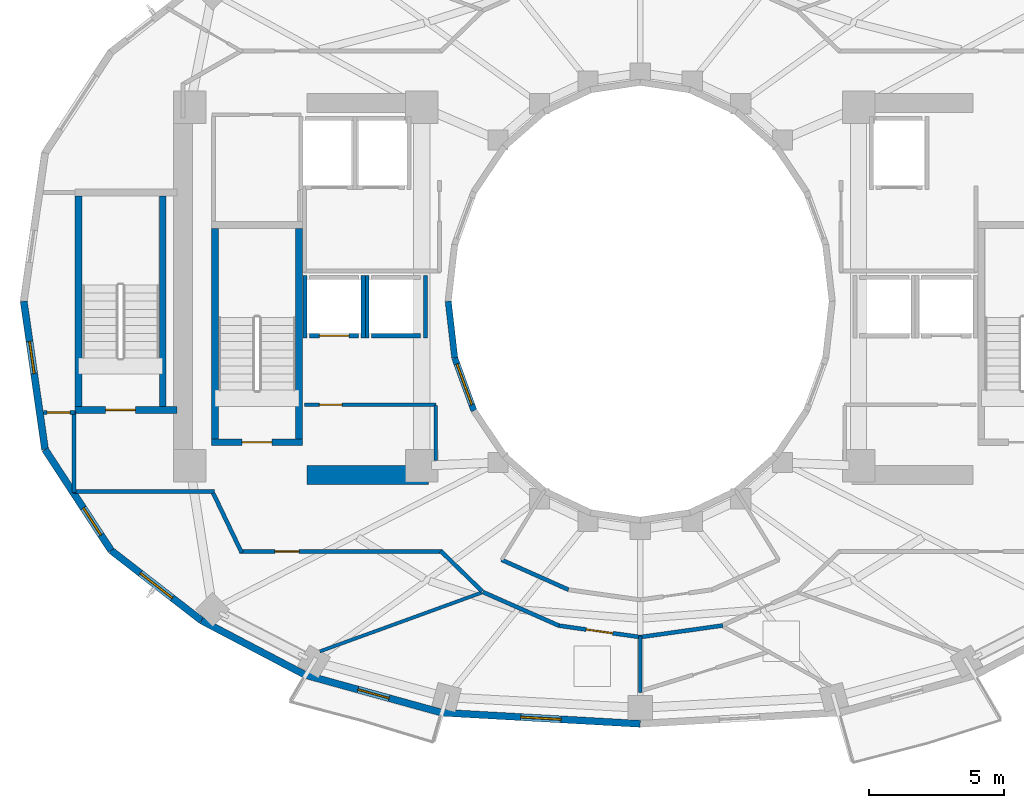
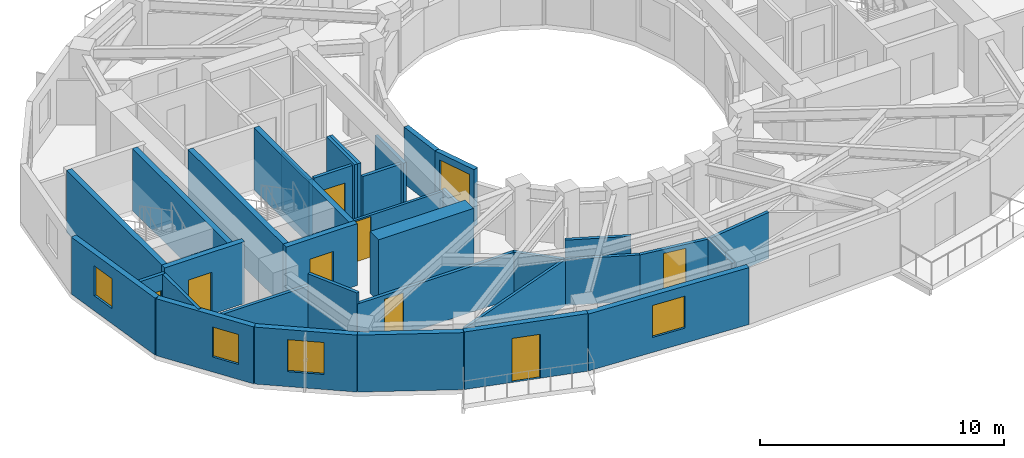
# One storey, part 3 of 10: 35 walls, 8 doors, 5 windows, 13 openings.
"""IFC4 building model written with IfcOpenShell, lengths in metres."""

import ifcopenshell
import ifcopenshell.guid

model = None  # the IFC model being written
_history = None  # IfcOwnerHistory: only IFC2X3 demands one
_inside = {}  # id of a spatial element -> (the spatial element, [elements in it])
_under = {}  # id of a project, library or spatial element -> (it, [spatial elements below it])
_declared = {}  # id of a project -> (the project, [libraries it declares])
_typed = {}  # id of a type object -> (the type object, [elements of that type])
_made_of = {}  # id of a material, layer set ... -> (it, [elements and type objects made of it])


def new_model(schema):
    """Start an empty IFC model of exactly this schema.

    Asked for "IFC4X3", IfcOpenShell would pick the latest addendum, in which some entities
    have other attributes; the version numbers below select the first issue.
    IFC2X3 requires an IfcOwnerHistory on every rooted entity: one is made here for all.
    """
    global model, _history
    if schema == "IFC4X3":
        model = ifcopenshell.file(schema_version=(4, 3, 0, 0))
    else:
        model = ifcopenshell.file(schema=schema)
    _inside.clear()
    _under.clear()
    _declared.clear()
    _typed.clear()
    _made_of.clear()
    _history = None
    if model.schema == "IFC2X3":
        org = make("IfcOrganization", Name="unknown")
        user = make(
            "IfcPersonAndOrganization",
            ThePerson=make("IfcPerson", FamilyName="unknown"),
            TheOrganization=org,
        )
        app = make(
            "IfcApplication",
            ApplicationDeveloper=org,
            Version="unknown",
            ApplicationFullName="unknown",
            ApplicationIdentifier="unknown",
        )
        _history = make(
            "IfcOwnerHistory",
            OwningUser=user,
            OwningApplication=app,
            ChangeAction="ADDED",
            CreationDate=0,
        )
    return model


def make(cls, **values):
    """One entity of the class cls with the attributes given. An attribute that is None is left unset."""
    return model.create_entity(
        cls, **{name: value for name, value in values.items() if value is not None}
    )


def rooted(cls, **values):
    """An entity with a GlobalId (a new one), such as an element, a storey or a relation."""
    return make(cls, GlobalId=ifcopenshell.guid.new(), OwnerHistory=_history, **values)


def si_unit(unit_type, name, prefix=None):
    """IfcSIUnit, for example si_unit("LENGTHUNIT", "METRE", prefix="MILLI")."""
    return make("IfcSIUnit", UnitType=unit_type, Prefix=prefix, Name=name)


def assignment(units):
    """IfcUnitAssignment: the units of a project."""
    return None if units is None else make("IfcUnitAssignment", Units=units)


def point(xyz):
    """IfcCartesianPoint."""
    return None if xyz is None else make("IfcCartesianPoint", Coordinates=xyz)


def direction(xyz):
    """IfcDirection."""
    return None if xyz is None else make("IfcDirection", DirectionRatios=xyz)


def frame(location, z_axis=None, x_axis=None):
    """IfcAxis2Placement3D, a coordinate frame: its origin and axes. An axis left out is left unset."""
    return make(
        "IfcAxis2Placement3D",
        Location=point(location),
        Axis=direction(z_axis),
        RefDirection=direction(x_axis),
    )


def frame_2d(location, x_axis=None):
    """IfcAxis2Placement2D, a coordinate frame in the plane: its origin and x axis."""
    return make(
        "IfcAxis2Placement2D", Location=point(location), RefDirection=direction(x_axis)
    )


def origin():
    """The frame at (0, 0, 0) with its axes left unset."""
    return frame((0.0, 0.0, 0.0))


def place(relative_to, where):
    """IfcLocalPlacement: puts the frame where relative to a parent placement (None: the world)."""
    return make(
        "IfcLocalPlacement", PlacementRelTo=relative_to, RelativePlacement=where
    )


def context(
    kind, dimensions, precision=None, world=None, true_north=None, identifier=None
):
    """IfcGeometricRepresentationContext, for example the 3D "Model" context."""
    return make(
        "IfcGeometricRepresentationContext",
        ContextIdentifier=identifier,
        ContextType=kind,
        CoordinateSpaceDimension=dimensions,
        Precision=precision,
        WorldCoordinateSystem=world,
        TrueNorth=true_north,
    )


def subcontext(parent, identifier, kind, view, scale=None):
    """IfcGeometricRepresentationSubContext, for example "Body" below "Model"."""
    return make(
        "IfcGeometricRepresentationSubContext",
        ContextIdentifier=identifier,
        ContextType=kind,
        ParentContext=parent,
        TargetScale=scale,
        TargetView=view,
    )


def project(units=None, contexts=None):
    """IfcProject with its units and contexts."""
    return rooted(
        "IfcProject",
        Name="project",
        RepresentationContexts=contexts,
        UnitsInContext=assignment(units),
    )


def spatial(cls, under=None, at=None, **own):
    """A site, building, storey or space (cls), placed at a placement, below another one or the project."""
    s = rooted(cls, ObjectPlacement=at, **own)
    if under is not None:
        _under.setdefault(under.id(), (under, []))[1].append(s)
    return s


def profile(cls, at=None, kind="AREA", **sizes):
    """A parametric profile (cls). Its sizes go by their IFC names, for example OverallWidth=200.0."""
    return make(cls, ProfileType=kind, Position=at, **sizes)


def rectangle(**sizes):
    """IfcRectangleProfileDef."""
    return profile("IfcRectangleProfileDef", **sizes)


def extrude(swept, where, along, depth):
    """IfcExtrudedAreaSolid: the profile swept, set in the frame where, extruded along a direction by depth."""
    return make(
        "IfcExtrudedAreaSolid",
        SweptArea=swept,
        Position=where,
        ExtrudedDirection=direction(along),
        Depth=depth,
    )


def shape(context_of_items, identifier, shape_type, items):
    """IfcShapeRepresentation: the items that make up one representation, for example the "Body"."""
    return make(
        "IfcShapeRepresentation",
        ContextOfItems=context_of_items,
        RepresentationIdentifier=identifier,
        RepresentationType=shape_type,
        Items=items,
    )


def material(Name=None, Category=None):
    """IfcMaterial."""
    return make("IfcMaterial", Name=Name, Category=Category)


def layer(
    of_material, thickness, ventilated=None, Name=None, Category=None, Priority=None
):
    """IfcMaterialLayer: one layer of a wall or slab, of a material (None: an air gap)."""
    return make(
        "IfcMaterialLayer",
        Material=of_material,
        LayerThickness=thickness,
        IsVentilated=ventilated,
        Name=Name,
        Category=Category,
        Priority=Priority,
    )


def layer_set(layers, Name=None):
    """IfcMaterialLayerSet."""
    return make("IfcMaterialLayerSet", MaterialLayers=layers, LayerSetName=Name)


def made_of(thing, what):
    """Note that an element or type object is made of a material, layer set ...; save() writes the relation."""
    if what is not None:
        _made_of.setdefault(what.id(), (what, []))[1].append(thing)
    return thing


def type_object(cls, material=None, **own):
    """A type object (cls), such as IfcWallType, which elements share."""
    return made_of(rooted(cls, **own), material)


def element(
    cls,
    number,
    at=None,
    inside=None,
    cuts=None,
    type_object=None,
    material=None,
    context=None,
    identifier="Body",
    shape_type=None,
    held_by="IfcProductDefinitionShape",
    body=None,
    shapes=None,
    **own,
):
    """One element of the class cls, such as IfcWall. Its Tag is "e" and its number.

    at: its placement. inside: the storey or other place that contains it. cuts: it is an
    opening in that element (IfcRelVoidsElement). A single representation is given by context,
    identifier, shape_type and body (its items); several are given by shapes. held_by: the class
    of the entity that holds the representations. save() writes the other relations.
    """
    e = rooted(cls, Tag="e%d" % number, ObjectPlacement=at, **own)
    if body is not None:
        shapes = [shape(context, identifier, shape_type, body)]
    if shapes is not None:
        e.Representation = make(held_by, Representations=shapes)
    if inside is not None:
        _inside.setdefault(inside.id(), (inside, []))[1].append(e)
    if cuts is not None:
        rooted(
            "IfcRelVoidsElement", RelatingBuildingElement=cuts, RelatedOpeningElement=e
        )
    if type_object is not None:
        _typed.setdefault(type_object.id(), (type_object, []))[1].append(e)
    return made_of(e, material)


def fill(opening, filler):
    """IfcRelFillsElement: the door or window that sits in an opening."""
    return rooted(
        "IfcRelFillsElement",
        RelatingOpeningElement=opening,
        RelatedBuildingElement=filler,
    )


def aggregate(whole, parts):
    """IfcRelAggregates: a whole, such as a stair, and the parts it consists of."""
    return rooted("IfcRelAggregates", RelatingObject=whole, RelatedObjects=parts)


def save(model, path):
    """Write the relations noted so far, then the file.

    IfcRelAggregates (storeys below a building ...), IfcRelContainedInSpatialStructure (elements
    in a storey), IfcRelDefinesByType, IfcRelAssociatesMaterial and IfcRelDeclares: one each for
    every whole, place, type object, material and project.
    """
    for whole, parts in _under.values():
        aggregate(whole, parts)
    for where, things in _inside.values():
        rooted(
            "IfcRelContainedInSpatialStructure",
            RelatedElements=things,
            RelatingStructure=where,
        )
    for kind, things in _typed.values():
        rooted("IfcRelDefinesByType", RelatedObjects=things, RelatingType=kind)
    for what, things in _made_of.values():
        rooted("IfcRelAssociatesMaterial", RelatedObjects=things, RelatingMaterial=what)
    for by, libraries in _declared.values():
        rooted("IfcRelDeclares", RelatingContext=by, RelatedDefinitions=libraries)
    model.write(path)


model = new_model("IFC4")

# Units and contexts
model_context = context("Model", 3, precision=1e-05, world=origin(), true_north=direction((0.0, 1.0)))
body_context = subcontext(model_context, "Body", "Model", "MODEL_VIEW")
ifc_project = project(units=[si_unit("LENGTHUNIT", "METRE"), si_unit("AREAUNIT", "SQUARE_METRE"), si_unit("VOLUMEUNIT", "CUBIC_METRE"), si_unit("PLANEANGLEUNIT", "RADIAN"), si_unit("MASSUNIT", "GRAM", prefix="KILO")], contexts=[model_context])

# Site, building, storey
site_placement = place(None, origin())
site = spatial("IfcSite", under=ifc_project, at=site_placement, CompositionType="ELEMENT")
building_placement = place(site_placement, origin())
building = spatial("IfcBuilding", under=site, at=building_placement, Name="Solvane Sanctuary Tower", CompositionType="ELEMENT")
storey_placement = place(building_placement, frame((0.0, 0.0, 165.300048828125)))
storey = spatial("IfcBuildingStorey", under=building, at=storey_placement, Name="L50", CompositionType="ELEMENT", Elevation=165.300048828125)

# Wall
ifc_material_1 = material(Name="Concrete C60/75", Category="concrete")
ifc_layer_1 = layer(ifc_material_1, 0.699951171875, Name="Concrete C60/75")
ifc_layer_set_1 = layer_set([ifc_layer_1], Name="Concrete C60/75")
wall_type_1 = type_object("IfcWallType", Name="Wall W-CORE-700", PredefinedType="SHEAR", material=ifc_layer_set_1)
wall_1_placement = place(storey_placement, frame((19.64990234375, 16.550048828125, 0.0), z_axis=(0.0, 0.0, 1.0), x_axis=(1.0, 0.0, 0.0)))
element("IfcWall", 1, at=wall_1_placement, inside=storey, type_object=wall_type_1, Name="L50 Core Shear Wall WC-S", PredefinedType="SHEAR", context=body_context, shape_type="SweptSolid", body=[
    extrude(rectangle(XDim=4.5, YDim=0.699951171875, at=frame_2d((2.25, 0.0))), origin(), (0.0, 0.0, 1.0), 3.099853515625),
])

# Wall, opening, door
ifc_material_2 = material(Name="Acoustic Gypsum Partition Board")
ifc_layer_2 = layer(ifc_material_2, 0.14990234375, Name="Acoustic Gypsum Partition Board")
ifc_layer_set_2 = layer_set([ifc_layer_2], Name="Acoustic Gypsum Partition Board")
wall_type_2 = type_object("IfcWallType", Name="Wall W-CORR-150", PredefinedType="PARTITIONING", material=ifc_layer_set_2)
wall_2_placement = place(storey_placement, frame((9.869873046875, 18.8798828125, 0.0), z_axis=(0.0, 0.0, 1.0), x_axis=(1.0, 0.0, 0.0)))
wall_2 = element("IfcWall", 2, at=wall_2_placement, inside=storey, type_object=wall_type_2, Name="L50 SW Corner Closer 1", PredefinedType="PARTITIONING", context=body_context, shape_type="SweptSolid", body=[
    extrude(rectangle(XDim=1.170166015625, YDim=0.14990234375, at=frame_2d((0.5849609375, 0.0))), origin(), (0.0, 0.0, 1.0), 2.85498046875),
])
opening_1_placement = place(wall_2_placement, frame((0.139892578125, 0.0, 0.0)))
opening_1 = element("IfcOpeningElement", 3, at=opening_1_placement, cuts=wall_2, Name="Opening D-L50-17", PredefinedType="OPENING", context=body_context, shape_type="SweptSolid", body=[
    extrude(rectangle(XDim=0.85009765625, YDim=2.050048828125, at=frame_2d((0.425048828125, 1.02490234375))), frame((0.0, 0.0849609375, 0.0), z_axis=(0.0, -1.0, 0.0), x_axis=(1.0, 0.0, 0.0)), (0.0, 0.0, 1.0), 0.169921875),
])
ifc_material_3 = material(Name="Architectural Stainless Steel 316", Category="steel")
door_type_1 = type_object("IfcDoorType", Name="Door D-RISER", OperationType="NOTDEFINED", PredefinedType="DOOR", material=ifc_material_3)
door_1_placement = place(opening_1_placement, origin())
door_1 = element("IfcDoor", 4, at=door_1_placement, inside=storey, type_object=door_type_1, Name="L50 West Lookout Study Door", OperationType="SINGLE_SWING_RIGHT", OverallHeight=2.050048828125, OverallWidth=0.85009765625, PredefinedType="DOOR", context=body_context, shape_type="SweptSolid", body=[
    extrude(rectangle(XDim=0.85009765625, YDim=2.050048828125, at=frame_2d((0.425048828125, 1.02490234375))), frame((0.0, 0.02490234375, 0.0), z_axis=(0.0, -1.0, 0.0), x_axis=(1.0, 0.0, 0.0)), (0.0, 0.0, 1.0), 0.050048828125),
])
fill(opening_1, door_1)

# Walls
wall_3_placement = place(storey_placement, frame((11.0, 15.909912109375, 0.0), z_axis=(0.0, 0.0, 1.0), x_axis=(0.0, 1.0, 0.0)))
element("IfcWall", 5, at=wall_3_placement, inside=storey, type_object=wall_type_2, Name="L50 SW Corner Closer 2", PredefinedType="PARTITIONING", context=body_context, shape_type="SweptSolid", body=[
    extrude(rectangle(XDim=3.010009765625, YDim=0.14990234375, at=frame_2d((1.5048828125, 0.0))), origin(), (0.0, 0.0, 1.0), 2.85498046875),
])
wall_4_placement = place(storey_placement, frame((10.9599609375, 15.949951171875, 0.0), z_axis=(0.0, 0.0, 1.0), x_axis=(1.0, 0.0, 0.0)))
element("IfcWall", 6, at=wall_4_placement, inside=storey, type_object=wall_type_2, Name="L50 SW Corner Closer 3", PredefinedType="PARTITIONING", context=body_context, shape_type="SweptSolid", body=[
    extrude(rectangle(XDim=5.260009765625, YDim=0.14990234375, at=frame_2d((2.6298828125, 0.0))), origin(), (0.0, 0.0, 1.0), 2.219970703125),
])
wall_5_placement = place(storey_placement, frame((26.132568359375, 12.251220703125, 0.0), z_axis=(0.0, 0.0, 1.0), x_axis=(-0.717419568599, 0.696641344302, 0.0)))
element("IfcWall", 7, at=wall_5_placement, inside=storey, type_object=wall_type_2, Name="L50 SW Corner Throat Wall", PredefinedType="PARTITIONING", context=body_context, shape_type="SweptSolid", body=[
    extrude(rectangle(XDim=2.138427734375, YDim=0.14990234375, at=frame_2d((1.0693359375, 0.0))), origin(), (0.0, 0.0, 1.0), 2.299072265625),
])

# Wall, opening, door
wall_6_placement = place(storey_placement, frame((17.14990234375, 13.719970703125, 0.0), z_axis=(0.0, 0.0, 1.0), x_axis=(1.0, 0.0, 0.0)))
wall_6 = element("IfcWall", 8, at=wall_6_placement, inside=storey, type_object=wall_type_2, Name="L50 SW Corner Corridor Wall", PredefinedType="PARTITIONING", context=body_context, shape_type="SweptSolid", body=[
    extrude(rectangle(XDim=7.52001953125, YDim=0.14990234375, at=frame_2d((3.760009765625, 0.0))), origin(), (0.0, 0.0, 1.0), 2.299072265625),
])
opening_2_placement = place(wall_6_placement, frame((1.300048828125, 0.0, 0.0)))
opening_2 = element("IfcOpeningElement", 9, at=opening_2_placement, cuts=wall_6, Name="Opening D-L50-18", PredefinedType="OPENING", context=body_context, shape_type="SweptSolid", body=[
    extrude(rectangle(XDim=0.89990234375, YDim=2.10009765625, at=frame_2d((0.449951171875, 1.050048828125))), frame((0.0, 0.0849609375, 0.0), z_axis=(0.0, -1.0, 0.0), x_axis=(1.0, 0.0, 0.0)), (0.0, 0.0, 1.0), 0.169921875),
])
ifc_material_4 = material(Name="Engineered Tropical Hardwood", Category="wood")
door_type_2 = type_object("IfcDoorType", Name="Door D-WET-900", OperationType="NOTDEFINED", PredefinedType="DOOR", material=ifc_material_4)
door_2_placement = place(opening_2_placement, origin())
door_2 = element("IfcDoor", 10, at=door_2_placement, inside=storey, type_object=door_type_2, Name="L50 SW Corner Salon Door", OperationType="SINGLE_SWING_LEFT", OverallHeight=2.10009765625, OverallWidth=0.89990234375, PredefinedType="DOOR", context=body_context, shape_type="SweptSolid", body=[
    extrude(rectangle(XDim=0.89990234375, YDim=2.10009765625, at=frame_2d((0.449951171875, 1.050048828125))), frame((0.0, 0.02490234375, 0.0), z_axis=(0.0, -1.0, 0.0), x_axis=(1.0, 0.0, 0.0)), (0.0, 0.0, 1.0), 0.050048828125),
])
fill(opening_2, door_2)

# Walls
wall_7_placement = place(storey_placement, frame((17.2216796875, 13.6748046875, 0.0), z_axis=(0.0, 0.0, 1.0), x_axis=(-0.431973389813, 0.901886351207, 0.0)))
element("IfcWall", 11, at=wall_7_placement, inside=storey, type_object=wall_type_2, Name="L50 SW Corner Wing Wall", PredefinedType="PARTITIONING", context=body_context, shape_type="SweptSolid", body=[
    extrude(rectangle(XDim=2.45166015625, YDim=0.14990234375, at=frame_2d((1.225830078125, 0.0))), origin(), (0.0, 0.0, 1.0), 2.85498046875),
])
wall_8_placement = place(storey_placement, frame((26.855712890625, 13.411865234375, 0.0), z_axis=(0.0, 0.0, 1.0), x_axis=(0.912985265053, -0.407992531545, 0.0)))
element("IfcWall", 12, at=wall_8_placement, inside=storey, type_object=wall_type_2, Name="L50 Inner Light-Well Corridor Wall S1", PredefinedType="PARTITIONING", context=body_context, shape_type="SweptSolid", body=[
    extrude(rectangle(XDim=2.723388671875, YDim=0.14990234375, at=frame_2d((1.36181640625, 0.0))), origin(), (0.0, 0.0, 1.0), 2.299072265625),
])
wall_9_placement = place(storey_placement, frame((31.950439453125, 10.537109375, 0.0), z_axis=(0.0, 0.0, 1.0), x_axis=(0.990254405439, 0.139270285808, 0.0)))
element("IfcWall", 13, at=wall_9_placement, inside=storey, type_object=wall_type_2, Name="L50 En-suite Inner Wall S1", PredefinedType="PARTITIONING", context=body_context, shape_type="SweptSolid", body=[
    extrude(rectangle(XDim=3.146728515625, YDim=0.14990234375, at=frame_2d((1.5732421875, 0.0))), origin(), (0.0, 0.0, 1.0), 2.299072265625),
])
wall_10_placement = place(storey_placement, frame((26.1650390625, 12.217041015625, 0.0), z_axis=(0.0, 0.0, 1.0), x_axis=(0.91445214467, -0.404694051239, 0.0)))
element("IfcWall", 14, at=wall_10_placement, inside=storey, type_object=wall_type_2, Name="L50 Unit Corridor Wall S1", PredefinedType="PARTITIONING", context=body_context, shape_type="SweptSolid", body=[
    extrude(rectangle(XDim=3.090576171875, YDim=0.14990234375, at=frame_2d((1.54541015625, 0.0))), origin(), (0.0, 0.0, 1.0), 2.299072265625),
])

# Wall, opening, door
wall_11_placement = place(storey_placement, frame((28.975341796875, 10.970703125, 0.0), z_axis=(0.0, 0.0, 1.0), x_axis=(0.990243864279, -0.139345216129, 0.0)))
wall_11 = element("IfcWall", 15, at=wall_11_placement, inside=storey, type_object=wall_type_2, Name="L50 Unit Corridor Wall S1", PredefinedType="PARTITIONING", context=body_context, shape_type="SweptSolid", body=[
    extrude(rectangle(XDim=3.0625, YDim=0.14990234375, at=frame_2d((1.53125, 0.0))), origin(), (0.0, 0.0, 1.0), 2.299072265625),
])
opening_3_placement = place(wall_11_placement, frame((1.03125, 0.0, 0.0)))
opening_3 = element("IfcOpeningElement", 16, at=opening_3_placement, cuts=wall_11, Name="Opening D-L50-25", PredefinedType="OPENING", context=body_context, shape_type="SweptSolid", body=[
    extrude(rectangle(XDim=1.0, YDim=2.10009765625, at=frame_2d((0.5, 1.050048828125))), frame((0.0, 0.0849609375, 0.0), z_axis=(0.0, -1.0, 0.0), x_axis=(1.0, 0.0, 0.0)), (0.0, 0.0, 1.0), 0.169921875),
])
door_type_3 = type_object("IfcDoorType", Name="Door D-UNIT", OperationType="NOTDEFINED", PredefinedType="DOOR", material=ifc_material_4)
door_3_placement = place(opening_3_placement, origin())
door_3 = element("IfcDoor", 17, at=door_3_placement, inside=storey, type_object=door_type_3, Name="L50 Unit Entrance Door S1", OperationType="SINGLE_SWING_RIGHT", OverallHeight=2.10009765625, OverallWidth=1.0, PredefinedType="DOOR", context=body_context, shape_type="SweptSolid", body=[
    extrude(rectangle(XDim=1.0, YDim=2.10009765625, at=frame_2d((0.5, 1.050048828125))), frame((0.0, 0.02490234375, 0.0), z_axis=(0.0, -1.0, 0.0), x_axis=(1.0, 0.0, 0.0)), (0.0, 0.0, 1.0), 0.050048828125),
])
fill(opening_3, door_3)

# Wall, opening, window
ifc_material_5 = material(Name="Precast concrete C40/50", Category="concrete")
ifc_layer_3 = layer(ifc_material_5, 0.260009765625, Name="Precast concrete C40/50")
ifc_layer_set_3 = layer_set([ifc_layer_3], Name="Precast concrete C40/50")
wall_type_3 = type_object("IfcWallType", Name="Wall W-EXT-250", PredefinedType="STANDARD", material=ifc_layer_set_3)
wall_12_placement = place(storey_placement, frame((9.139892578125, 23.0, 0.0), z_axis=(0.0, 0.0, 1.0), x_axis=(0.142227632286, -0.989833976288, 0.0)))
wall_12 = element("IfcWall", 18, at=wall_12_placement, inside=storey, type_object=wall_type_3, Name="L50 Ceramic-Printed Facade Wall 12", PredefinedType="STANDARD", context=body_context, shape_type="SweptSolid", body=[
    extrude(rectangle(XDim=5.552978515625, YDim=0.260009765625, at=frame_2d((2.7763671875, 0.0))), origin(), (0.0, 0.0, 1.0), 2.849853515625),
])
opening_4_placement = place(wall_12_placement, frame((1.506103515625, 0.0, 0.75)))
opening_4 = element("IfcOpeningElement", 19, at=opening_4_placement, cuts=wall_12, Name="Opening WN-OPER-1200", PredefinedType="OPENING", context=body_context, shape_type="SweptSolid", body=[
    extrude(rectangle(XDim=1.199951171875, YDim=1.5, at=frame_2d((0.60009765625, 0.75))), frame((0.0, 0.139892578125, 0.0), z_axis=(0.0, -1.0, 0.0), x_axis=(1.0, 0.0, 0.0)), (0.0, 0.0, 1.0), 0.280029296875),
])
ifc_material_6 = material(Name="Dark Ceramic-Fritted Low-E Glass", Category="glass")
window_type_1 = type_object("IfcWindowType", Name="Window WN-OPER-1200", PartitioningType="SINGLE_PANEL", PredefinedType="WINDOW", material=ifc_material_6)
window_1_placement = place(opening_4_placement, origin())
window_1 = element("IfcWindow", 20, at=window_1_placement, inside=storey, type_object=window_type_1, Name="L50 Operable Facade Window 12", OverallHeight=1.5, OverallWidth=1.199951171875, PartitioningType="SINGLE_PANEL", PredefinedType="WINDOW", context=body_context, shape_type="SweptSolid", body=[
    extrude(rectangle(XDim=1.199951171875, YDim=1.5, at=frame_2d((0.60009765625, 0.75))), frame((0.0, 0.030029296875, 0.0), z_axis=(0.0, -1.0, 0.0), x_axis=(1.0, 0.0, 0.0)), (0.0, 0.0, 1.0), 0.06005859375),
])
fill(opening_4, window_1)

wall_13_placement = place(storey_placement, frame((9.9296875, 17.50341796875, 0.0), z_axis=(0.0, 0.0, 1.0), x_axis=(0.547456494366, -0.836834145322, 0.0)))
wall_13 = element("IfcWall", 21, at=wall_13_placement, inside=storey, type_object=wall_type_3, Name="L50 Ceramic-Printed Facade Wall 13", PredefinedType="STANDARD", context=body_context, shape_type="SweptSolid", body=[
    extrude(rectangle(XDim=4.477294921875, YDim=0.260009765625, at=frame_2d((2.23876953125, 0.0))), origin(), (0.0, 0.0, 1.0), 2.849853515625),
])
opening_5_placement = place(wall_13_placement, frame((2.59130859375, 0.0, 0.75)))
opening_5 = element("IfcOpeningElement", 22, at=opening_5_placement, cuts=wall_13, Name="Opening WN-OPER-1200", PredefinedType="OPENING", context=body_context, shape_type="SweptSolid", body=[
    extrude(rectangle(XDim=1.199951171875, YDim=1.5, at=frame_2d((0.60009765625, 0.75))), frame((0.0, 0.139892578125, 0.0), z_axis=(0.0, -1.0, 0.0), x_axis=(1.0, 0.0, 0.0)), (0.0, 0.0, 1.0), 0.280029296875),
])
window_2_placement = place(opening_5_placement, origin())
window_2 = element("IfcWindow", 23, at=window_2_placement, inside=storey, type_object=window_type_1, Name="L50 Operable Facade Window 13", OverallHeight=1.5, OverallWidth=1.199951171875, PartitioningType="SINGLE_PANEL", PredefinedType="WINDOW", context=body_context, shape_type="SweptSolid", body=[
    extrude(rectangle(XDim=1.199951171875, YDim=1.5, at=frame_2d((0.60009765625, 0.75))), frame((0.0, 0.030029296875, 0.0), z_axis=(0.0, -1.0, 0.0), x_axis=(1.0, 0.0, 0.0)), (0.0, 0.0, 1.0), 0.06005859375),
])
fill(opening_5, window_2)

wall_14_placement = place(storey_placement, frame((12.380859375, 13.756591796875, 0.0), z_axis=(0.0, 0.0, 1.0), x_axis=(0.790185650662, -0.612867552973, 0.0)))
wall_14 = element("IfcWall", 24, at=wall_14_placement, inside=storey, type_object=wall_type_3, Name="L50 Ceramic-Printed Facade Wall 14", PredefinedType="STANDARD", context=body_context, shape_type="SweptSolid", body=[
    extrude(rectangle(XDim=4.2392578125, YDim=0.260009765625, at=frame_2d((2.11962890625, 0.0))), origin(), (0.0, 0.0, 1.0), 2.849853515625),
])
opening_6_placement = place(wall_14_placement, frame((1.36962890625, 0.0, 0.75)))
opening_6 = element("IfcOpeningElement", 25, at=opening_6_placement, cuts=wall_14, Name="Opening WN-OPER-1500", PredefinedType="OPENING", context=body_context, shape_type="SweptSolid", body=[
    extrude(rectangle(XDim=1.5, YDim=1.60009765625, at=frame_2d((0.75, 0.800048828125))), frame((0.0, 0.139892578125, 0.0), z_axis=(0.0, -1.0, 0.0), x_axis=(1.0, 0.0, 0.0)), (0.0, 0.0, 1.0), 0.280029296875),
])
window_type_2 = type_object("IfcWindowType", Name="Window WN-OPER-1500", PartitioningType="SINGLE_PANEL", PredefinedType="WINDOW", material=ifc_material_6)
window_3_placement = place(opening_6_placement, origin())
window_3 = element("IfcWindow", 26, at=window_3_placement, inside=storey, type_object=window_type_2, Name="L50 Operable Facade Window 14", OverallHeight=1.60009765625, OverallWidth=1.5, PartitioningType="SINGLE_PANEL", PredefinedType="WINDOW", context=body_context, shape_type="SweptSolid", body=[
    extrude(rectangle(XDim=1.5, YDim=1.60009765625, at=frame_2d((0.75, 0.800048828125))), frame((0.0, 0.030029296875, 0.0), z_axis=(0.0, -1.0, 0.0), x_axis=(1.0, 0.0, 0.0)), (0.0, 0.0, 1.0), 0.06005859375),
])
fill(opening_6, window_3)

# Wall
wall_15_placement = place(storey_placement, frame((15.730712890625, 11.158447265625, 0.0), z_axis=(0.0, 0.0, 1.0), x_axis=(0.885660265226, -0.464333818065, 0.0)))
element("IfcWall", 27, at=wall_15_placement, inside=storey, type_object=wall_type_3, Name="L50 Ceramic-Printed Facade Wall 15", PredefinedType="STANDARD", context=body_context, shape_type="SweptSolid", body=[
    extrude(rectangle(XDim=4.35400390625, YDim=0.260009765625, at=frame_2d((2.177001953125, 0.0))), origin(), (0.0, 0.0, 1.0), 2.849853515625),
])

# Wall, opening, door
wall_16_placement = place(storey_placement, frame((19.5869140625, 9.13671875, 0.0), z_axis=(0.0, 0.0, 1.0), x_axis=(0.963953455704, -0.26607092144, 0.0)))
wall_16 = element("IfcWall", 28, at=wall_16_placement, inside=storey, type_object=wall_type_3, Name="L50 Balcony Facade Wall S1", PredefinedType="STANDARD", context=body_context, shape_type="SweptSolid", body=[
    extrude(rectangle(XDim=5.236572265625, YDim=0.260009765625, at=frame_2d((2.6181640625, 0.0))), origin(), (0.0, 0.0, 1.0), 2.8798828125),
])
opening_7_placement = place(wall_16_placement, frame((2.018310546875, 0.0, 0.0)))
opening_7 = element("IfcOpeningElement", 29, at=opening_7_placement, cuts=wall_16, Name="Opening D-L50-03", PredefinedType="OPENING", context=body_context, shape_type="SweptSolid", body=[
    extrude(rectangle(XDim=1.199951171875, YDim=2.199951171875, at=frame_2d((0.60009765625, 1.10009765625))), frame((0.0, 0.139892578125, 0.0), z_axis=(0.0, -1.0, 0.0), x_axis=(1.0, 0.0, 0.0)), (0.0, 0.0, 1.0), 0.280029296875),
])
ifc_material_7 = material(Name="Anodised Aluminium 6063-T6", Category="aluminium")
door_type_4 = type_object("IfcDoorType", Name="Door D-BALC-1200", OperationType="NOTDEFINED", PredefinedType="DOOR", material=ifc_material_7)
door_4_placement = place(opening_7_placement, origin())
door_4 = element("IfcDoor", 30, at=door_4_placement, inside=storey, type_object=door_type_4, Name="L50 Glazed Balcony Door S1", OperationType="SINGLE_SWING_RIGHT", OverallHeight=2.199951171875, OverallWidth=1.199951171875, PredefinedType="DOOR", context=body_context, shape_type="SweptSolid", body=[
    extrude(rectangle(XDim=1.199951171875, YDim=2.199951171875, at=frame_2d((0.60009765625, 1.10009765625))), frame((0.0, 0.02490234375, 0.0), z_axis=(0.0, -1.0, 0.0), x_axis=(1.0, 0.0, 0.0)), (0.0, 0.0, 1.0), 0.050048828125),
])
fill(opening_7, door_4)

# Wall, opening, window
wall_17_placement = place(storey_placement, frame((24.634765625, 7.743408203125, 0.0), z_axis=(0.0, 0.0, 1.0), x_axis=(0.998417906562, -0.056228852534, 0.0)))
wall_17 = element("IfcWall", 31, at=wall_17_placement, inside=storey, type_object=wall_type_3, Name="L50 Ceramic-Printed Facade Wall 17", PredefinedType="STANDARD", context=body_context, shape_type="SweptSolid", body=[
    extrude(rectangle(XDim=7.376953125, YDim=0.260009765625, at=frame_2d((3.6884765625, 0.0))), origin(), (0.0, 0.0, 1.0), 2.849853515625),
])
opening_8_placement = place(wall_17_placement, frame((2.9384765625, 0.0, 0.75)))
opening_8 = element("IfcOpeningElement", 32, at=opening_8_placement, cuts=wall_17, Name="Opening WN-OPER-1500", PredefinedType="OPENING", context=body_context, shape_type="SweptSolid", body=[
    extrude(rectangle(XDim=1.5, YDim=1.60009765625, at=frame_2d((0.75, 0.800048828125))), frame((0.0, 0.139892578125, 0.0), z_axis=(0.0, -1.0, 0.0), x_axis=(1.0, 0.0, 0.0)), (0.0, 0.0, 1.0), 0.280029296875),
])
window_4_placement = place(opening_8_placement, origin())
window_4 = element("IfcWindow", 33, at=window_4_placement, inside=storey, type_object=window_type_2, Name="L50 Operable Facade Window 17", OverallHeight=1.60009765625, OverallWidth=1.5, PartitioningType="SINGLE_PANEL", PredefinedType="WINDOW", context=body_context, shape_type="SweptSolid", body=[
    extrude(rectangle(XDim=1.5, YDim=1.60009765625, at=frame_2d((0.75, 0.800048828125))), frame((0.0, 0.030029296875, 0.0), z_axis=(0.0, -1.0, 0.0), x_axis=(1.0, 0.0, 0.0)), (0.0, 0.0, 1.0), 0.06005859375),
])
fill(opening_8, window_4)

# Wall
ifc_layer_4 = layer(ifc_material_5, 0.22998046875, Name="Precast concrete C40/50")
ifc_layer_set_4 = layer_set([ifc_layer_4], Name="Precast concrete C40/50")
wall_type_4 = type_object("IfcWallType", Name="Wall W-EXT-SP220", PredefinedType="STANDARD", material=ifc_layer_set_4)
wall_18_placement = place(storey_placement, frame((24.8798828125, 23.0, 0.0), z_axis=(0.0, 0.0, 1.0), x_axis=(0.114711713601, -0.993398823617, 0.0)))
element("IfcWall", 34, at=wall_18_placement, inside=storey, type_object=wall_type_4, Name="L50 Central Light-Well Wall 12", PredefinedType="STANDARD", context=body_context, shape_type="SweptSolid", body=[
    extrude(rectangle(XDim=2.115478515625, YDim=0.22998046875, at=frame_2d((1.0576171875, 0.0))), origin(), (0.0, 0.0, 1.0), 2.83984375),
])

# Wall, opening, window
wall_19_placement = place(storey_placement, frame((25.12255859375, 20.8984375, 0.0), z_axis=(0.0, 0.0, 1.0), x_axis=(0.341423187295, -0.93990968033, 0.0)))
wall_19 = element("IfcWall", 35, at=wall_19_placement, inside=storey, type_object=wall_type_4, Name="L50 Central Light-Well Wall 13", PredefinedType="STANDARD", context=body_context, shape_type="SweptSolid", body=[
    extrude(rectangle(XDim=2.083740234375, YDim=0.22998046875, at=frame_2d((1.0419921875, 0.0))), origin(), (0.0, 0.0, 1.0), 2.83984375),
])
opening_9_placement = place(wall_19_placement, frame((0.24169921875, 0.0, 0.85009765625)))
opening_9 = element("IfcOpeningElement", 36, at=opening_9_placement, cuts=wall_19, Name="Opening WN-WELL-1600", PredefinedType="OPENING", context=body_context, shape_type="SweptSolid", body=[
    extrude(rectangle(XDim=1.60009765625, YDim=1.64990234375, at=frame_2d((0.800048828125, 0.824951171875))), frame((0.0, 0.125, 0.0), z_axis=(0.0, -1.0, 0.0), x_axis=(1.0, 0.0, 0.0)), (0.0, 0.0, 1.0), 0.25),
])
ifc_material_8 = material(Name="Clear Laminated Light-Well Glass", Category="glass")
window_type_3 = type_object("IfcWindowType", Name="Window WN-WELL-1600", PartitioningType="SINGLE_PANEL", PredefinedType="WINDOW", material=ifc_material_8)
window_5_placement = place(opening_9_placement, origin())
window_5 = element("IfcWindow", 37, at=window_5_placement, inside=storey, type_object=window_type_3, Name="L50 Light-Well Daylight Window 13", OverallHeight=1.64990234375, OverallWidth=1.60009765625, PartitioningType="SINGLE_PANEL", PredefinedType="WINDOW", context=body_context, shape_type="SweptSolid", body=[
    extrude(rectangle(XDim=1.60009765625, YDim=1.64990234375, at=frame_2d((0.800048828125, 0.824951171875))), frame((0.0, 0.030029296875, 0.0), z_axis=(0.0, -1.0, 0.0), x_axis=(1.0, 0.0, 0.0)), (0.0, 0.0, 1.0), 0.06005859375),
])
fill(opening_9, window_5)

# Wall, opening, door
ifc_layer_5 = layer(ifc_material_2, 0.125, Name="Acoustic Gypsum Partition Board")
ifc_layer_set_5 = layer_set([ifc_layer_5], Name="Acoustic Gypsum Partition Board")
wall_type_5 = type_object("IfcWallType", Name="Wall W-PART-125", PredefinedType="PARTITIONING", material=ifc_layer_set_5)
wall_20_placement = place(storey_placement, frame((19.550048828125, 19.159912109375, 0.0), z_axis=(0.0, 0.0, 1.0), x_axis=(1.0, 0.0, 0.0)))
wall_20 = element("IfcWall", 38, at=wall_20_placement, inside=storey, type_object=wall_type_5, Name="L50 Reclaimed Room Partition PLW", PredefinedType="PARTITIONING", context=body_context, shape_type="SweptSolid", body=[
    extrude(rectangle(XDim=4.869873046875, YDim=0.125, at=frame_2d((2.43505859375, 0.0))), origin(), (0.0, 0.0, 1.0), 2.119873046875),
])
opening_10_placement = place(wall_20_placement, frame((0.550048828125, 0.0, 0.0)))
opening_10 = element("IfcOpeningElement", 39, at=opening_10_placement, cuts=wall_20, Name="Opening D-L50-10", PredefinedType="OPENING", context=body_context, shape_type="SweptSolid", body=[
    extrude(rectangle(XDim=0.85009765625, YDim=2.050048828125, at=frame_2d((0.425048828125, 1.02490234375))), frame((0.0, 0.072509765625, 0.0), z_axis=(0.0, -1.0, 0.0), x_axis=(1.0, 0.0, 0.0)), (0.0, 0.0, 1.0), 0.14501953125),
])
door_5_placement = place(opening_10_placement, origin())
door_5 = element("IfcDoor", 40, at=door_5_placement, inside=storey, type_object=door_type_1, Name="L50 Reclaimed Room Door PLW-1", OperationType="SINGLE_SWING_LEFT", OverallHeight=2.050048828125, OverallWidth=0.85009765625, PredefinedType="DOOR", context=body_context, shape_type="SweptSolid", body=[
    extrude(rectangle(XDim=0.85009765625, YDim=2.050048828125, at=frame_2d((0.425048828125, 1.02490234375))), frame((0.0, 0.02490234375, 0.0), z_axis=(0.0, -1.0, 0.0), x_axis=(1.0, 0.0, 0.0)), (0.0, 0.0, 1.0), 0.050048828125),
])
fill(opening_10, door_5)

# Walls
wall_21_placement = place(storey_placement, frame((24.419921875, 17.10009765625, 0.0), z_axis=(0.0, 0.0, 1.0), x_axis=(0.0, 1.0, 0.0)))
element("IfcWall", 41, at=wall_21_placement, inside=storey, type_object=wall_type_5, Name="L50 Reclaimed Room Closer Wall PLW-1", PredefinedType="PARTITIONING", context=body_context, shape_type="SweptSolid", body=[
    extrude(rectangle(XDim=2.039794921875, YDim=0.125, at=frame_2d((1.02001953125, 0.0))), origin(), (0.0, 0.0, 1.0), 2.23193359375),
])
wall_22_placement = place(storey_placement, frame((26.120361328125, 12.194091796875, 0.0), z_axis=(0.0, 0.0, 1.0), x_axis=(-0.939901628116, -0.341445353557, 0.0)))
element("IfcWall", 42, at=wall_22_placement, inside=storey, type_object=wall_type_5, Name="L50 Radial Compartment Wall 240", PredefinedType="PARTITIONING", context=body_context, shape_type="SweptSolid", body=[
    extrude(rectangle(XDim=6.38720703125, YDim=0.125, at=frame_2d((3.193603515625, 0.0))), origin(), (0.0, 0.0, 1.0), 2.299072265625),
])

# Wall, opening, door
ifc_material_9 = material(Name="Concrete C50/60", Category="concrete")
ifc_layer_6 = layer(ifc_material_9, 0.14990234375, Name="Concrete C50/60")
ifc_layer_set_6 = layer_set([ifc_layer_6], Name="Concrete C50/60")
wall_type_6 = type_object("IfcWallType", Name="Wall W-SHAFT-150", PredefinedType="SOLIDWALL", material=ifc_layer_set_6)
wall_23_placement = place(storey_placement, frame((19.739990234375, 21.719970703125, 0.0), z_axis=(0.0, 0.0, 1.0), x_axis=(1.0, 0.0, 0.0)))
wall_23 = element("IfcWall", 43, at=wall_23_placement, inside=storey, type_object=wall_type_6, Name="L50 PM-1 Lift Shaft Wall F", PredefinedType="SOLIDWALL", context=body_context, shape_type="SweptSolid", body=[
    extrude(rectangle(XDim=1.820068359375, YDim=0.14990234375, at=frame_2d((0.91015625, 0.0))), origin(), (0.0, 0.0, 1.0), 2.85498046875),
])
opening_11_placement = place(wall_23_placement, frame((0.360107421875, 0.0, 0.0)))
opening_11 = element("IfcOpeningElement", 44, at=opening_11_placement, cuts=wall_23, Name="Opening LD-L50-01", PredefinedType="OPENING", context=body_context, shape_type="SweptSolid", body=[
    extrude(rectangle(XDim=1.10009765625, YDim=2.10009765625, at=frame_2d((0.550048828125, 1.050048828125))), frame((0.0, 0.0849609375, 0.0), z_axis=(0.0, -1.0, 0.0), x_axis=(1.0, 0.0, 0.0)), (0.0, 0.0, 1.0), 0.169921875),
])
door_type_5 = type_object("IfcDoorType", Name="Door LD-PASS-1100", OperationType="NOTDEFINED", PredefinedType="DOOR", material=ifc_material_3)
door_6_placement = place(opening_11_placement, origin())
door_6 = element("IfcDoor", 45, at=door_6_placement, inside=storey, type_object=door_type_5, Name="L50 PM-1 Lift Landing Door", OperationType="DOUBLE_DOOR_SLIDING", OverallHeight=2.10009765625, OverallWidth=1.10009765625, PredefinedType="DOOR", context=body_context, shape_type="SweptSolid", body=[
    extrude(rectangle(XDim=1.10009765625, YDim=2.10009765625, at=frame_2d((0.550048828125, 1.050048828125))), frame((0.0, 0.02490234375, 0.0), z_axis=(0.0, -1.0, 0.0), x_axis=(1.0, 0.0, 0.0)), (0.0, 0.0, 1.0), 0.050048828125),
])
fill(opening_11, door_6)

# Walls
for number, where, z_axis, x_axis, name in (
    (46, (19.570068359375, 21.639892578125, 0.0), (0.0, 0.0, 1.0), (0.0, 1.0, 0.0), "L50 PM-1 Lift Shaft Wall S1"),
    (47, (21.72998046875, 21.639892578125, 0.0), (0.0, 0.0, 1.0), (0.0, 1.0, 0.0), "L50 PM-1 Lift Shaft Wall S2"),
):
    element("IfcWall", number, at=place(storey_placement, frame(where, z_axis=z_axis, x_axis=x_axis)), inside=storey, type_object=wall_type_6, Name=name, PredefinedType="SOLIDWALL", context=body_context, shape_type="SweptSolid", body=[
        extrude(rectangle(XDim=2.320068359375, YDim=0.14990234375, at=frame_2d((1.16015625, 0.0))), origin(), (0.0, 0.0, 1.0), 2.85498046875),
    ])
wall_24_placement = place(storey_placement, frame((22.0400390625, 21.719970703125, 0.0), z_axis=(0.0, 0.0, 1.0), x_axis=(1.0, 0.0, 0.0)))
element("IfcWall", 48, at=wall_24_placement, inside=storey, type_object=wall_type_6, Name="L50 PH-1 Lift Shaft Wall F", PredefinedType="SOLIDWALL", context=body_context, shape_type="SweptSolid", body=[
    extrude(rectangle(XDim=1.820068359375, YDim=0.14990234375, at=frame_2d((0.91015625, 0.0))), origin(), (0.0, 0.0, 1.0), 2.119873046875),
])
wall_25_placement = place(storey_placement, frame((21.8701171875, 21.639892578125, 0.0), z_axis=(0.0, 0.0, 1.0), x_axis=(0.0, 1.0, 0.0)))
element("IfcWall", 49, at=wall_25_placement, inside=storey, type_object=wall_type_6, Name="L50 PH-1 Lift Shaft Wall S1", PredefinedType="SOLIDWALL", context=body_context, shape_type="SweptSolid", body=[
    extrude(rectangle(XDim=2.320068359375, YDim=0.14990234375, at=frame_2d((1.16015625, 0.0))), origin(), (0.0, 0.0, 1.0), 2.85498046875),
])
wall_26_placement = place(storey_placement, frame((24.030029296875, 21.639892578125, 0.0), z_axis=(0.0, 0.0, 1.0), x_axis=(0.0, 1.0, 0.0)))
element("IfcWall", 50, at=wall_26_placement, inside=storey, type_object=wall_type_6, Name="L50 PH-1 Lift Shaft Wall S2", PredefinedType="SOLIDWALL", context=body_context, shape_type="SweptSolid", body=[
    extrude(rectangle(XDim=2.320068359375, YDim=0.14990234375, at=frame_2d((1.16015625, 0.0))), origin(), (0.0, 0.0, 1.0), 2.119873046875),
])

# Wall, opening, door
ifc_layer_7 = layer(ifc_material_9, 0.25, Name="Concrete C50/60")
ifc_layer_set_7 = layer_set([ifc_layer_7], Name="Concrete C50/60")
wall_type_7 = type_object("IfcWallType", Name="Wall W-SHAFT-250", PredefinedType="SOLIDWALL", material=ifc_layer_set_7)
wall_27_placement = place(storey_placement, frame((16.10498046875, 17.77001953125, 0.0), z_axis=(0.0, 0.0, 1.0), x_axis=(1.0, 0.0, 0.0)))
wall_27 = element("IfcWall", 51, at=wall_27_placement, inside=storey, type_object=wall_type_7, Name="L50 ST-1 Load-Bearing Shaft Wall S", PredefinedType="SOLIDWALL", context=body_context, shape_type="SweptSolid", body=[
    extrude(rectangle(XDim=3.3701171875, YDim=0.25, at=frame_2d((1.68505859375, 0.0))), origin(), (0.0, 0.0, 1.0), 3.099853515625),
])
opening_12_placement = place(wall_27_placement, frame((1.135009765625, 0.0, 0.0)))
opening_12 = element("IfcOpeningElement", 52, at=opening_12_placement, cuts=wall_27, Name="Opening D-L50-05", PredefinedType="OPENING", context=body_context, shape_type="SweptSolid", body=[
    extrude(rectangle(XDim=1.10009765625, YDim=2.10009765625, at=frame_2d((0.550048828125, 1.050048828125))), frame((0.0, 0.135009765625, 0.0), z_axis=(0.0, -1.0, 0.0), x_axis=(1.0, 0.0, 0.0)), (0.0, 0.0, 1.0), 0.27001953125),
])
door_type_6 = type_object("IfcDoorType", Name="Door D-STAIR", OperationType="NOTDEFINED", PredefinedType="DOOR", material=ifc_material_3)
door_7_placement = place(opening_12_placement, origin())
door_7 = element("IfcDoor", 53, at=door_7_placement, inside=storey, type_object=door_type_6, Name="L50 ST-1 Exit Stair Fire Door", OperationType="SINGLE_SWING_RIGHT", OverallHeight=2.10009765625, OverallWidth=1.10009765625, PredefinedType="DOOR", context=body_context, shape_type="SweptSolid", body=[
    extrude(rectangle(XDim=1.10009765625, YDim=2.10009765625, at=frame_2d((0.550048828125, 1.050048828125))), frame((0.0, 0.02490234375, 0.0), z_axis=(0.0, -1.0, 0.0), x_axis=(1.0, 0.0, 0.0)), (0.0, 0.0, 1.0), 0.050048828125),
])
fill(opening_12, door_7)

# Walls
for number, where, z_axis, x_axis, name in (
    (54, (16.22998046875, 17.89501953125, 0.0), (0.0, 0.0, 1.0), (0.0, 1.0, 0.0), "L50 ST-1 Load-Bearing Shaft Wall W"),
    (55, (19.35009765625, 17.89501953125, 0.0), (0.0, 0.0, 1.0), (0.0, 1.0, 0.0), "L50 ST-1 Load-Bearing Shaft Wall E"),
):
    element("IfcWall", number, at=place(storey_placement, frame(where, z_axis=z_axis, x_axis=x_axis)), inside=storey, type_object=wall_type_7, Name=name, PredefinedType="SOLIDWALL", context=body_context, shape_type="SweptSolid", body=[
        extrude(rectangle(XDim=7.81005859375, YDim=0.25, at=frame_2d((3.905029296875, 0.0))), origin(), (0.0, 0.0, 1.0), 3.099853515625),
    ])

# Wall, opening, door
wall_28_placement = place(storey_placement, frame((11.044921875, 18.969970703125, 0.0), z_axis=(0.0, 0.0, 1.0), x_axis=(1.0, 0.0, 0.0)))
wall_28 = element("IfcWall", 56, at=wall_28_placement, inside=storey, type_object=wall_type_7, Name="L50 ST-3 Load-Bearing Shaft Wall S", PredefinedType="SOLIDWALL", context=body_context, shape_type="SweptSolid", body=[
    extrude(rectangle(XDim=3.781982421875, YDim=0.25, at=frame_2d((1.89111328125, 0.0))), origin(), (0.0, 0.0, 1.0), 3.099853515625),
])
opening_13_placement = place(wall_28_placement, frame((1.135009765625, 0.0, 0.0)))
opening_13 = element("IfcOpeningElement", 57, at=opening_13_placement, cuts=wall_28, Name="Opening D-L50-07", PredefinedType="OPENING", context=body_context, shape_type="SweptSolid", body=[
    extrude(rectangle(XDim=1.10009765625, YDim=2.10009765625, at=frame_2d((0.550048828125, 1.050048828125))), frame((0.0, 0.135009765625, 0.0), z_axis=(0.0, -1.0, 0.0), x_axis=(1.0, 0.0, 0.0)), (0.0, 0.0, 1.0), 0.27001953125),
])
door_8_placement = place(opening_13_placement, origin())
door_8 = element("IfcDoor", 58, at=door_8_placement, inside=storey, type_object=door_type_6, Name="L50 ST-3 Exit Stair Fire Door", OperationType="SINGLE_SWING_RIGHT", OverallHeight=2.10009765625, OverallWidth=1.10009765625, PredefinedType="DOOR", context=body_context, shape_type="SweptSolid", body=[
    extrude(rectangle(XDim=1.10009765625, YDim=2.10009765625, at=frame_2d((0.550048828125, 1.050048828125))), frame((0.0, 0.02490234375, 0.0), z_axis=(0.0, -1.0, 0.0), x_axis=(1.0, 0.0, 0.0)), (0.0, 0.0, 1.0), 0.050048828125),
])
fill(opening_13, door_8)

# Walls
for number, where, z_axis, x_axis, name in (
    (59, (11.169921875, 19.094970703125, 0.0), (0.0, 0.0, 1.0), (0.0, 1.0, 0.0), "L50 ST-3 Load-Bearing Shaft Wall W"),
    (60, (14.2900390625, 19.094970703125, 0.0), (0.0, 0.0, 1.0), (0.0, 1.0, 0.0), "L50 ST-3 Load-Bearing Shaft Wall E"),
):
    element("IfcWall", number, at=place(storey_placement, frame(where, z_axis=z_axis, x_axis=x_axis)), inside=storey, type_object=wall_type_7, Name=name, PredefinedType="SOLIDWALL", context=body_context, shape_type="SweptSolid", body=[
        extrude(rectangle(XDim=7.81005859375, YDim=0.25, at=frame_2d((3.905029296875, 0.0))), origin(), (0.0, 0.0, 1.0), 3.099853515625),
    ])
ifc_layer_8 = layer(ifc_material_2, 0.139892578125, Name="Acoustic Gypsum Partition Board")
ifc_layer_set_8 = layer_set([ifc_layer_8], Name="Acoustic Gypsum Partition Board")
wall_type_8 = type_object("IfcWallType", Name="Wall W-WET-140", PredefinedType="PLUMBINGWALL", material=ifc_layer_set_8)
wall_29_placement = place(storey_placement, frame((32.0, 10.593994140625, 0.0), z_axis=(0.0, 0.0, 1.0), x_axis=(0.0, -1.0, 0.0)))
element("IfcWall", 61, at=wall_29_placement, inside=storey, type_object=wall_type_8, Name="L50 En-suite Side Partition S1", PredefinedType="PLUMBINGWALL", context=body_context, shape_type="SweptSolid", body=[
    extrude(rectangle(XDim=2.10009765625, YDim=0.139892578125, at=frame_2d((1.050048828125, 0.0))), origin(), (0.0, 0.0, 1.0), 2.299072265625),
])

save(model, "model.ifc")
